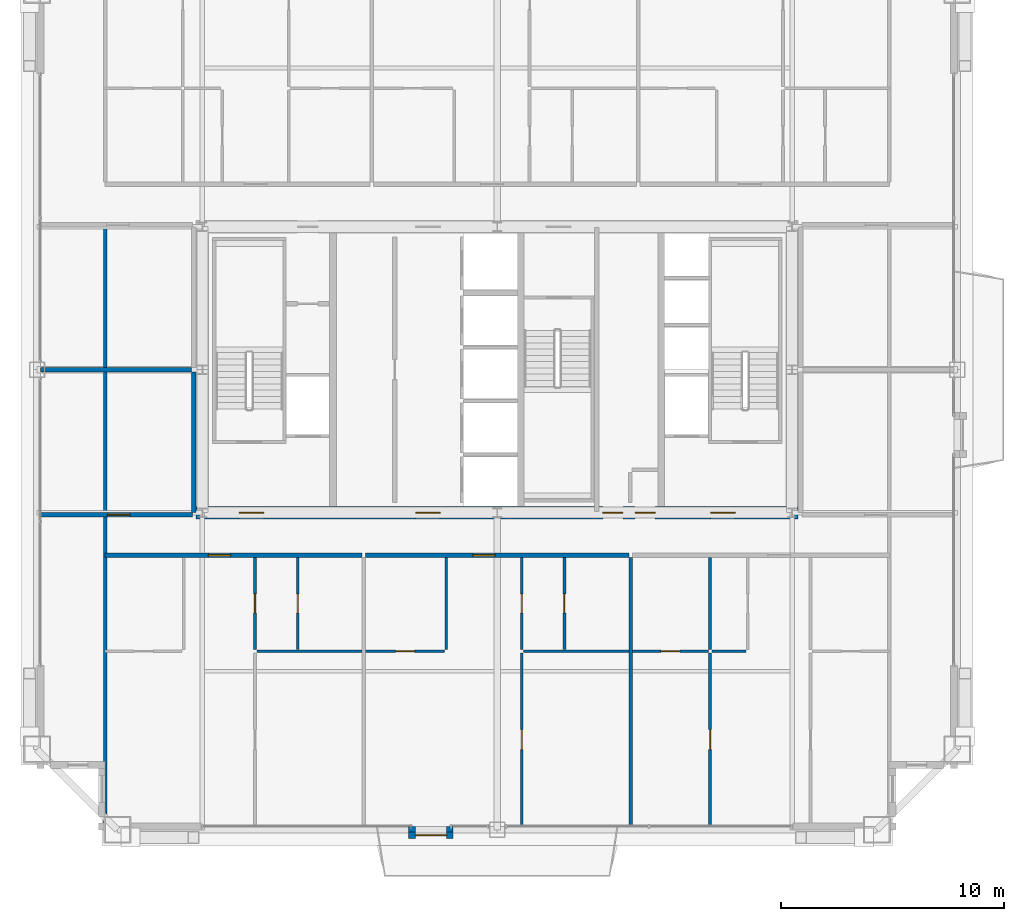
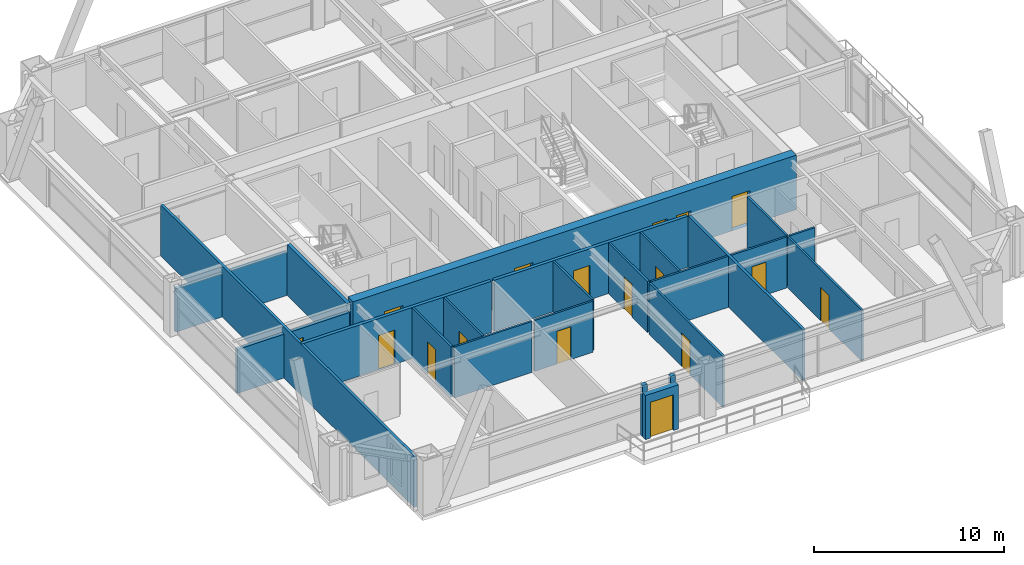
# One storey, part 30 of 35: 24 walls, 17 doors, 17 openings.
"""IFC4 building model written with IfcOpenShell, lengths in metres."""

from ifc_helpers import new_model, si_unit, direction, frame, frame_2d, origin, place, context, subcontext, project, spatial, rectangle, extrude, source, transform, mapped, material, layer, layer_set, type_object, element, fill, save


model = new_model("IFC4")

# Units and contexts
model_context = context("Model", 3, precision=1e-05, world=origin(), true_north=direction((0.0, 1.0)))
body_context = subcontext(model_context, "Body", "Model", "MODEL_VIEW")
ifc_project = project(units=[si_unit("LENGTHUNIT", "METRE"), si_unit("AREAUNIT", "SQUARE_METRE"), si_unit("VOLUMEUNIT", "CUBIC_METRE"), si_unit("PLANEANGLEUNIT", "RADIAN"), si_unit("MASSUNIT", "GRAM", prefix="KILO"), si_unit("THERMODYNAMICTEMPERATUREUNIT", "KELVIN"), si_unit("POWERUNIT", "WATT")], contexts=[model_context])

# Site, building, storey
site_placement = place(None, origin())
site = spatial("IfcSite", under=ifc_project, at=site_placement, CompositionType="ELEMENT")
building_placement = place(site_placement, origin())
building = spatial("IfcBuilding", under=site, at=building_placement, Name="Yuzanri Waterfront Tower", CompositionType="ELEMENT")
storey_placement = place(building_placement, frame((0.0, 0.0, 248.60009765625)))
storey = spatial("IfcBuildingStorey", under=building, at=storey_placement, Name="L66", CompositionType="ELEMENT", Elevation=248.60009765625)

# Wall, opening, door
ifc_material_1 = material(Name="Moisture-Resistant Gypsum Stud Wall", Category="gypsum")
ifc_layer_1 = layer(ifc_material_1, 0.1201171875)
ifc_layer_set_1 = layer_set([ifc_layer_1], Name="Moisture-Resistant Gypsum Stud Wall")
wall_type_1 = type_object("IfcWallType", Name="Bathroom and Kitchen Wet Partition 120", PredefinedType="PARTITIONING", material=ifc_layer_set_1)
wall_1_placement = place(storey_placement, frame((28.070068359375, 13.280029296875, 0.0), z_axis=(0.0, 0.0, 1.0), x_axis=(0.0, 1.0, 0.0)))
wall_1 = element("IfcWall", 1, at=wall_1_placement, inside=storey, type_object=wall_type_1, Name="L66 Partition UW-L66-RS1-SUB-2-W", PredefinedType="PARTITIONING", context=body_context, shape_type="SweptSolid", body=[
    extrude(rectangle(XDim=4.10986328125, YDim=0.1201171875, at=frame_2d((2.054931640625, 0.0))), origin(), (0.0, 0.0, 1.0), 3.27978515625),
])
opening_1_placement = place(wall_1_placement, frame((1.6298828125, 0.0, 0.0)))
opening_1 = element("IfcOpeningElement", 2, at=opening_1_placement, cuts=wall_1, Name="Opening ID-0850", PredefinedType="OPENING", context=body_context, shape_type="SweptSolid", body=[
    extrude(rectangle(XDim=0.85009765625, YDim=2.10009765625, at=frame_2d((0.425048828125, 1.050048828125))), frame((0.0, 0.074951171875, 0.0), z_axis=(0.0, -1.0, 0.0), x_axis=(1.0, 0.0, 0.0)), (0.0, 0.0, 1.0), 0.14990234375),
])
ifc_material_2 = material(Name="Moisture-Resistant Lacquered Timber", Category="wood")
door_type_1 = type_object("IfcDoorType", Name="En-Suite Bathroom and Kitchen Swing Door 850x2100", OperationType="NOTDEFINED", PredefinedType="DOOR", material=ifc_material_2)
shared_shape_1 = source(origin(), body_context, "Body", "SweptSolid", [
    extrude(rectangle(XDim=0.85009765625, YDim=2.10009765625, at=frame_2d((0.425048828125, 1.050048828125))), frame((0.0, 0.02490234375, 0.0), z_axis=(0.0, -1.0, 0.0), x_axis=(1.0, 0.0, 0.0)), (0.0, 0.0, 1.0), 0.050048828125),
])
door_1_placement = place(opening_1_placement, origin())
door_1 = element("IfcDoor", 3, at=door_1_placement, inside=storey, type_object=door_type_1, Name="L66 Suite Interior Room Door", OperationType="SINGLE_SWING_RIGHT", OverallHeight=2.10009765625, OverallWidth=0.85009765625, PredefinedType="DOOR", context=body_context, shape_type="MappedRepresentation", body=[
    mapped(shared_shape_1, transform((0.0, 0.0, 0.0), scale=1.0)),
])
fill(opening_1, door_1)

wall_2_placement = place(storey_placement, frame((26.157958984375, 13.280029296875, 0.0), z_axis=(0.0, 0.0, 1.0), x_axis=(0.0, 1.0, 0.0)))
wall_2 = element("IfcWall", 4, at=wall_2_placement, inside=storey, type_object=wall_type_1, Name="L66 Partition UW-L66-RS1-SUB-4-W", PredefinedType="PARTITIONING", context=body_context, shape_type="SweptSolid", body=[
    extrude(rectangle(XDim=4.10986328125, YDim=0.1201171875, at=frame_2d((2.054931640625, 0.0))), origin(), (0.0, 0.0, 1.0), 3.27978515625),
])
opening_2_placement = place(wall_2_placement, frame((1.6298828125, 0.0, 0.0)))
opening_2 = element("IfcOpeningElement", 5, at=opening_2_placement, cuts=wall_2, Name="Opening ID-0850", PredefinedType="OPENING", context=body_context, shape_type="SweptSolid", body=[
    extrude(rectangle(XDim=0.85009765625, YDim=2.10009765625, at=frame_2d((0.425048828125, 1.050048828125))), frame((0.0, 0.074951171875, 0.0), z_axis=(0.0, -1.0, 0.0), x_axis=(1.0, 0.0, 0.0)), (0.0, 0.0, 1.0), 0.14990234375),
])
door_2_placement = place(opening_2_placement, origin())
door_2 = element("IfcDoor", 6, at=door_2_placement, inside=storey, type_object=door_type_1, Name="L66 Suite Interior Room Door", OperationType="SINGLE_SWING_RIGHT", OverallHeight=2.10009765625, OverallWidth=0.85009765625, PredefinedType="DOOR", context=body_context, shape_type="MappedRepresentation", body=[
    mapped(shared_shape_1, transform((0.0, 0.0, 0.0), scale=1.0)),
])
fill(opening_2, door_2)

wall_3_placement = place(storey_placement, frame((31.110107421875, 13.199951171875, 0.0), z_axis=(0.0, 0.0, 1.0), x_axis=(1.0, 0.0, 0.0)))
wall_3 = element("IfcWall", 7, at=wall_3_placement, inside=storey, type_object=wall_type_1, Name="L66 Partition UW-L66-RS2-SUB-1-S", PredefinedType="PARTITIONING", context=body_context, shape_type="SweptSolid", body=[
    extrude(rectangle(XDim=3.533935546875, YDim=0.1201171875, at=frame_2d((1.76708984375, 0.0))), origin(), (0.0, 0.0, 1.0), 3.27978515625),
])
opening_3_placement = place(wall_3_placement, frame((1.342041015625, 0.0, 0.0)))
opening_3 = element("IfcOpeningElement", 8, at=opening_3_placement, cuts=wall_3, Name="Opening ID-0850", PredefinedType="OPENING", context=body_context, shape_type="SweptSolid", body=[
    extrude(rectangle(XDim=0.85009765625, YDim=2.10009765625, at=frame_2d((0.425048828125, 1.050048828125))), frame((0.0, 0.074951171875, 0.0), z_axis=(0.0, -1.0, 0.0), x_axis=(1.0, 0.0, 0.0)), (0.0, 0.0, 1.0), 0.14990234375),
])
door_3_placement = place(opening_3_placement, origin())
door_3 = element("IfcDoor", 9, at=door_3_placement, inside=storey, type_object=door_type_1, Name="L66 Suite Interior Room Door", OperationType="SINGLE_SWING_RIGHT", OverallHeight=2.10009765625, OverallWidth=0.85009765625, PredefinedType="DOOR", context=body_context, shape_type="MappedRepresentation", body=[
    mapped(shared_shape_1, transform((0.0, 0.0, 0.0), scale=1.0)),
])
fill(opening_3, door_3)

wall_4_placement = place(storey_placement, frame((40.010009765625, 13.280029296875, 0.0), z_axis=(0.0, 0.0, 1.0), x_axis=(0.0, 1.0, 0.0)))
wall_4 = element("IfcWall", 10, at=wall_4_placement, inside=storey, type_object=wall_type_1, Name="L66 Partition UW-L66-RS2-SUB-2-W", PredefinedType="PARTITIONING", context=body_context, shape_type="SweptSolid", body=[
    extrude(rectangle(XDim=4.10986328125, YDim=0.1201171875, at=frame_2d((2.054931640625, 0.0))), origin(), (0.0, 0.0, 1.0), 3.27978515625),
])
opening_4_placement = place(wall_4_placement, frame((1.6298828125, 0.0, 0.0)))
opening_4 = element("IfcOpeningElement", 11, at=opening_4_placement, cuts=wall_4, Name="Opening ID-0850", PredefinedType="OPENING", context=body_context, shape_type="SweptSolid", body=[
    extrude(rectangle(XDim=0.85009765625, YDim=2.10009765625, at=frame_2d((0.425048828125, 1.050048828125))), frame((0.0, 0.074951171875, 0.0), z_axis=(0.0, -1.0, 0.0), x_axis=(1.0, 0.0, 0.0)), (0.0, 0.0, 1.0), 0.14990234375),
])
door_4_placement = place(opening_4_placement, origin())
door_4 = element("IfcDoor", 12, at=door_4_placement, inside=storey, type_object=door_type_1, Name="L66 Suite Interior Room Door", OperationType="SINGLE_SWING_LEFT", OverallHeight=2.10009765625, OverallWidth=0.85009765625, PredefinedType="DOOR", context=body_context, shape_type="MappedRepresentation", body=[
    mapped(shared_shape_1, transform((0.0, 0.0, 0.0), scale=1.0)),
])
fill(opening_4, door_4)

wall_5_placement = place(storey_placement, frame((38.097900390625, 5.35009765625, 0.0), z_axis=(0.0, 0.0, 1.0), x_axis=(0.0, 1.0, 0.0)))
wall_5 = element("IfcWall", 13, at=wall_5_placement, inside=storey, type_object=wall_type_1, Name="L66 Partition UW-L66-RS2-SUB-3-W", PredefinedType="PARTITIONING", context=body_context, shape_type="SweptSolid", body=[
    extrude(rectangle(XDim=7.77001953125, YDim=0.1201171875, at=frame_2d((3.885009765625, 0.0))), origin(), (0.0, 0.0, 1.0), 3.27978515625),
])
opening_5_placement = place(wall_5_placement, frame((3.43505859375, 0.0, 0.0)))
opening_5 = element("IfcOpeningElement", 14, at=opening_5_placement, cuts=wall_5, Name="Opening ID-0900", PredefinedType="OPENING", context=body_context, shape_type="SweptSolid", body=[
    extrude(rectangle(XDim=0.89990234375, YDim=2.14990234375, at=frame_2d((0.449951171875, 1.074951171875))), frame((0.0, 0.074951171875, 0.0), z_axis=(0.0, -1.0, 0.0), x_axis=(1.0, 0.0, 0.0)), (0.0, 0.0, 1.0), 0.14990234375),
])
ifc_material_3 = material(Name="Stained Walnut Veneer Timber", Category="wood")
door_type_2 = type_object("IfcDoorType", Name="Bedroom and Study Interior Swing Door 900x2150", OperationType="NOTDEFINED", PredefinedType="DOOR", material=ifc_material_3)
shared_shape_2 = source(origin(), body_context, "Body", "SweptSolid", [
    extrude(rectangle(XDim=0.89990234375, YDim=2.14990234375, at=frame_2d((0.449951171875, 1.074951171875))), frame((0.0, 0.02490234375, 0.0), z_axis=(0.0, -1.0, 0.0), x_axis=(1.0, 0.0, 0.0)), (0.0, 0.0, 1.0), 0.050048828125),
])
door_5_placement = place(opening_5_placement, origin())
door_5 = element("IfcDoor", 15, at=door_5_placement, inside=storey, type_object=door_type_2, Name="L66 Suite Interior Room Door", OperationType="SINGLE_SWING_RIGHT", OverallHeight=2.14990234375, OverallWidth=0.89990234375, PredefinedType="DOOR", context=body_context, shape_type="MappedRepresentation", body=[
    mapped(shared_shape_2, transform((0.0, 0.0, 0.0), scale=1.0)),
])
fill(opening_5, door_5)

wall_6_placement = place(storey_placement, frame((38.097900390625, 13.280029296875, 0.0), z_axis=(0.0, 0.0, 1.0), x_axis=(0.0, 1.0, 0.0)))
wall_6 = element("IfcWall", 16, at=wall_6_placement, inside=storey, type_object=wall_type_1, Name="L66 Partition UW-L66-RS2-SUB-4-W", PredefinedType="PARTITIONING", context=body_context, shape_type="SweptSolid", body=[
    extrude(rectangle(XDim=4.10986328125, YDim=0.1201171875, at=frame_2d((2.054931640625, 0.0))), origin(), (0.0, 0.0, 1.0), 3.27978515625),
])
opening_6_placement = place(wall_6_placement, frame((1.6298828125, 0.0, 0.0)))
opening_6 = element("IfcOpeningElement", 17, at=opening_6_placement, cuts=wall_6, Name="Opening ID-0850", PredefinedType="OPENING", context=body_context, shape_type="SweptSolid", body=[
    extrude(rectangle(XDim=0.85009765625, YDim=2.10009765625, at=frame_2d((0.425048828125, 1.050048828125))), frame((0.0, 0.074951171875, 0.0), z_axis=(0.0, -1.0, 0.0), x_axis=(1.0, 0.0, 0.0)), (0.0, 0.0, 1.0), 0.14990234375),
])
door_6_placement = place(opening_6_placement, origin())
door_6 = element("IfcDoor", 18, at=door_6_placement, inside=storey, type_object=door_type_1, Name="L66 Suite Interior Room Door", OperationType="SINGLE_SWING_LEFT", OverallHeight=2.10009765625, OverallWidth=0.85009765625, PredefinedType="DOOR", context=body_context, shape_type="MappedRepresentation", body=[
    mapped(shared_shape_1, transform((0.0, 0.0, 0.0), scale=1.0)),
])
fill(opening_6, door_6)

wall_7_placement = place(storey_placement, frame((43.050048828125, 13.199951171875, 0.0), z_axis=(0.0, 0.0, 1.0), x_axis=(1.0, 0.0, 0.0)))
wall_7 = element("IfcWall", 19, at=wall_7_placement, inside=storey, type_object=wall_type_1, Name="L66 Partition UW-L66-RS3-SUB-1-S", PredefinedType="PARTITIONING", context=body_context, shape_type="SweptSolid", body=[
    extrude(rectangle(XDim=3.39990234375, YDim=0.1201171875, at=frame_2d((1.699951171875, 0.0))), origin(), (0.0, 0.0, 1.0), 3.27978515625),
])
opening_7_placement = place(wall_7_placement, frame((1.27490234375, 0.0, 0.0)))
opening_7 = element("IfcOpeningElement", 20, at=opening_7_placement, cuts=wall_7, Name="Opening ID-0850", PredefinedType="OPENING", context=body_context, shape_type="SweptSolid", body=[
    extrude(rectangle(XDim=0.85009765625, YDim=2.10009765625, at=frame_2d((0.425048828125, 1.050048828125))), frame((0.0, 0.074951171875, 0.0), z_axis=(0.0, -1.0, 0.0), x_axis=(1.0, 0.0, 0.0)), (0.0, 0.0, 1.0), 0.14990234375),
])
door_7_placement = place(opening_7_placement, origin())
door_7 = element("IfcDoor", 21, at=door_7_placement, inside=storey, type_object=door_type_1, Name="L66 Suite Interior Room Door", OperationType="SINGLE_SWING_LEFT", OverallHeight=2.10009765625, OverallWidth=0.85009765625, PredefinedType="DOOR", context=body_context, shape_type="MappedRepresentation", body=[
    mapped(shared_shape_1, transform((0.0, 0.0, 0.0), scale=1.0)),
])
fill(opening_7, door_7)

wall_8_placement = place(storey_placement, frame((46.530029296875, 5.35009765625, 0.0), z_axis=(0.0, 0.0, 1.0), x_axis=(0.0, 1.0, 0.0)))
wall_8 = element("IfcWall", 22, at=wall_8_placement, inside=storey, type_object=wall_type_1, Name="L66 Partition UW-L66-RS3-SUB-4-E", PredefinedType="PARTITIONING", context=body_context, shape_type="SweptSolid", body=[
    extrude(rectangle(XDim=7.77001953125, YDim=0.1201171875, at=frame_2d((3.885009765625, 0.0))), origin(), (0.0, 0.0, 1.0), 3.27978515625),
])
opening_8_placement = place(wall_8_placement, frame((3.43505859375, 0.0, 0.0)))
opening_8 = element("IfcOpeningElement", 23, at=opening_8_placement, cuts=wall_8, Name="Opening ID-0900", PredefinedType="OPENING", context=body_context, shape_type="SweptSolid", body=[
    extrude(rectangle(XDim=0.89990234375, YDim=2.14990234375, at=frame_2d((0.449951171875, 1.074951171875))), frame((0.0, 0.074951171875, 0.0), z_axis=(0.0, -1.0, 0.0), x_axis=(1.0, 0.0, 0.0)), (0.0, 0.0, 1.0), 0.14990234375),
])
door_8_placement = place(opening_8_placement, origin())
door_8 = element("IfcDoor", 24, at=door_8_placement, inside=storey, type_object=door_type_2, Name="L66 Suite Interior Room Door", OperationType="SINGLE_SWING_RIGHT", OverallHeight=2.14990234375, OverallWidth=0.89990234375, PredefinedType="DOOR", context=body_context, shape_type="MappedRepresentation", body=[
    mapped(shared_shape_2, transform((0.0, 0.0, 0.0), scale=1.0)),
])
fill(opening_8, door_8)

ifc_material_4 = material(Name="Honed Chongqing Dark Basalt Stone", Category="masonry")
ifc_layer_2 = layer(ifc_material_4, 0.300048828125)
ifc_layer_set_2 = layer_set([ifc_layer_2], Name="Honed Chongqing Dark Basalt Stone")
wall_type_2 = type_object("IfcWallType", Name="Bronze Rainscreen Insulated Spandrel Portal Wall 300", PredefinedType="SOLIDWALL", material=ifc_layer_set_2)
wall_9_placement = place(storey_placement, frame((33.031982421875, 4.949951171875, 0.0), z_axis=(0.0, 0.0, 1.0), x_axis=(1.0, 0.0, 0.0)))
wall_9 = element("IfcWall", 25, at=wall_9_placement, inside=storey, type_object=wall_type_2, Name="L66 S Terrace Door Portal Wall", PredefinedType="SOLIDWALL", context=body_context, shape_type="SweptSolid", body=[
    extrude(rectangle(XDim=2.0, YDim=0.300048828125, at=frame_2d((1.0, 0.0))), origin(), (0.0, 0.0, 1.0), 2.8349609375),
])
opening_9_placement = place(wall_9_placement, frame((0.300048828125, 0.0, 0.0)))
opening_9 = element("IfcOpeningElement", 26, at=opening_9_placement, cuts=wall_9, Name="Opening TD-1400", PredefinedType="OPENING", context=body_context, shape_type="SweptSolid", body=[
    extrude(rectangle(XDim=1.39990234375, YDim=2.300048828125, at=frame_2d((0.699951171875, 1.14990234375))), frame((0.0, 0.1650390625, 0.0), z_axis=(0.0, -1.0, 0.0), x_axis=(1.0, 0.0, 0.0)), (0.0, 0.0, 1.0), 0.329833984375),
])
ifc_material_5 = material(Name="Anodized Architectural Bronze", Category="metal")
door_type_3 = type_object("IfcDoorType", Name="Anodized Bronze Balcony and Terrace Glazed Double Door 1400x2300", OperationType="NOTDEFINED", PredefinedType="DOOR", material=ifc_material_5)
shared_shape_3 = source(origin(), body_context, "Body", "SweptSolid", [
    extrude(rectangle(XDim=1.39990234375, YDim=2.300048828125, at=frame_2d((0.699951171875, 1.14990234375))), frame((0.0, 0.02490234375, 0.0), z_axis=(0.0, -1.0, 0.0), x_axis=(1.0, 0.0, 0.0)), (0.0, 0.0, 1.0), 0.050048828125),
])
door_9_placement = place(opening_9_placement, origin())
door_9 = element("IfcDoor", 27, at=door_9_placement, inside=storey, type_object=door_type_3, Name="L66 S Terrace Glazed Double Door", OperationType="DOUBLE_DOOR_SINGLE_SWING", OverallHeight=2.300048828125, OverallWidth=1.39990234375, PredefinedType="DOOR", context=body_context, shape_type="MappedRepresentation", body=[
    mapped(shared_shape_3, transform((0.0, 0.0, 0.0), scale=1.0)),
])
fill(opening_9, door_9)

# Wall, openings, doors
ifc_material_6 = material(Name="Concrete C50", Category="concrete")
ifc_layer_3 = layer(ifc_material_6, 0.550048828125)
ifc_layer_set_3 = layer_set([ifc_layer_3], Name="Concrete C50")
wall_type_3 = type_object("IfcWallType", Name="Concrete C50 Upper-Mid Zone Core Shear Wall 550", PredefinedType="SHEAR", material=ifc_layer_set_3)
wall_10_placement = place(storey_placement, frame((23.52490234375, 19.39990234375, 0.0), z_axis=(0.0, 0.0, 1.0), x_axis=(1.0, 0.0, 0.0)))
wall_10 = element("IfcWall", 28, at=wall_10_placement, inside=storey, type_object=wall_type_3, Name="L66 Core South Shear Wall", PredefinedType="SHEAR", context=body_context, shape_type="SweptSolid", body=[
    extrude(rectangle(XDim=26.9501953125, YDim=0.550048828125, at=frame_2d((13.47509765625, 0.0))), origin(), (0.0, 0.0, 1.0), 3.5),
])
opening_10_placement = place(wall_10_placement, frame((1.925048828125, 0.0, 0.0)))
opening_10 = element("IfcOpeningElement", 29, at=opening_10_placement, cuts=wall_10, Name="Opening FD-1100", PredefinedType="OPENING", context=body_context, shape_type="SweptSolid", body=[
    extrude(rectangle(XDim=1.10009765625, YDim=2.199951171875, at=frame_2d((0.550048828125, 1.10009765625))), frame((0.0, 0.2900390625, 0.0), z_axis=(0.0, -1.0, 0.0), x_axis=(1.0, 0.0, 0.0)), (0.0, 0.0, 1.0), 0.579833984375),
])
opening_11_placement = place(wall_10_placement, frame((9.824951171875, 0.0, 0.0)))
opening_11 = element("IfcOpeningElement", 30, at=opening_11_placement, cuts=wall_10, Name="Opening FD-1100", PredefinedType="OPENING", context=body_context, shape_type="SweptSolid", body=[
    extrude(rectangle(XDim=1.10009765625, YDim=2.199951171875, at=frame_2d((0.550048828125, 1.10009765625))), frame((0.0, 0.2900390625, 0.0), z_axis=(0.0, -1.0, 0.0), x_axis=(1.0, 0.0, 0.0)), (0.0, 0.0, 1.0), 0.579833984375),
])
opening_12_placement = place(wall_10_placement, frame((23.02490234375, 0.0, 0.0)))
opening_12 = element("IfcOpeningElement", 31, at=opening_12_placement, cuts=wall_10, Name="Opening FD-1100", PredefinedType="OPENING", context=body_context, shape_type="SweptSolid", body=[
    extrude(rectangle(XDim=1.10009765625, YDim=2.199951171875, at=frame_2d((0.550048828125, 1.10009765625))), frame((0.0, 0.2900390625, 0.0), z_axis=(0.0, -1.0, 0.0), x_axis=(1.0, 0.0, 0.0)), (0.0, 0.0, 1.0), 0.579833984375),
])
opening_13_placement = place(wall_10_placement, frame((19.64501953125, 0.0, 0.0)))
opening_13 = element("IfcOpeningElement", 32, at=opening_13_placement, cuts=wall_10, Name="Opening FD-0900", PredefinedType="OPENING", context=body_context, shape_type="SweptSolid", body=[
    extrude(rectangle(XDim=0.89990234375, YDim=2.14990234375, at=frame_2d((0.449951171875, 1.074951171875))), frame((0.0, 0.2900390625, 0.0), z_axis=(0.0, -1.0, 0.0), x_axis=(1.0, 0.0, 0.0)), (0.0, 0.0, 1.0), 0.579833984375),
])
opening_14_placement = place(wall_10_placement, frame((18.205078125, 0.0, 0.0)))
opening_14 = element("IfcOpeningElement", 33, at=opening_14_placement, cuts=wall_10, Name="Opening FD-0900", PredefinedType="OPENING", context=body_context, shape_type="SweptSolid", body=[
    extrude(rectangle(XDim=0.89990234375, YDim=2.14990234375, at=frame_2d((0.449951171875, 1.074951171875))), frame((0.0, 0.2900390625, 0.0), z_axis=(0.0, -1.0, 0.0), x_axis=(1.0, 0.0, 0.0)), (0.0, 0.0, 1.0), 0.579833984375),
])
ifc_material_7 = material(Name="Painted Galvanized Fire Steel", Category="steel")
door_type_4 = type_object("IfcDoorType", Name="Smoke-Proof Stair and Lobby Fire Door 1100x2200", OperationType="NOTDEFINED", PredefinedType="DOOR", material=ifc_material_7)
shared_shape_4 = source(origin(), body_context, "Body", "SweptSolid", [
    extrude(rectangle(XDim=1.10009765625, YDim=2.199951171875, at=frame_2d((0.550048828125, 1.10009765625))), frame((0.0, 0.02490234375, 0.0), z_axis=(0.0, -1.0, 0.0), x_axis=(1.0, 0.0, 0.0)), (0.0, 0.0, 1.0), 0.050048828125),
])
door_10_placement = place(opening_10_placement, origin())
door_10 = element("IfcDoor", 34, at=door_10_placement, inside=storey, type_object=door_type_4, Name="L66 West Firefighting Lobby Door", OperationType="SINGLE_SWING_RIGHT", OverallHeight=2.199951171875, OverallWidth=1.10009765625, PredefinedType="DOOR", context=body_context, shape_type="MappedRepresentation", body=[
    mapped(shared_shape_4, transform((0.0, 0.0, 0.0), scale=1.0)),
])
fill(opening_10, door_10)
door_11_placement = place(opening_11_placement, origin())
door_11 = element("IfcDoor", 35, at=door_11_placement, inside=storey, type_object=door_type_4, Name="L66 Central Lift Lobby South Door", OperationType="SINGLE_SWING_LEFT", OverallHeight=2.199951171875, OverallWidth=1.10009765625, PredefinedType="DOOR", context=body_context, shape_type="MappedRepresentation", body=[
    mapped(shared_shape_4, transform((0.0, 0.0, 0.0), scale=1.0)),
])
fill(opening_11, door_11)
door_12_placement = place(opening_12_placement, origin())
door_12 = element("IfcDoor", 36, at=door_12_placement, inside=storey, type_object=door_type_4, Name="L66 East Firefighting Lobby Door", OperationType="SINGLE_SWING_RIGHT", OverallHeight=2.199951171875, OverallWidth=1.10009765625, PredefinedType="DOOR", context=body_context, shape_type="MappedRepresentation", body=[
    mapped(shared_shape_4, transform((0.0, 0.0, 0.0), scale=1.0)),
])
fill(opening_12, door_12)
ifc_material_8 = material(Name="Painted Galvanized Fire Steel", Category="steel")
door_type_5 = type_object("IfcDoorType", Name="Riser and Service Room Fire Door 900x2150", OperationType="NOTDEFINED", PredefinedType="DOOR", material=ifc_material_8)
shared_shape_5 = source(origin(), body_context, "Body", "SweptSolid", [
    extrude(rectangle(XDim=0.89990234375, YDim=2.14990234375, at=frame_2d((0.449951171875, 1.074951171875))), frame((0.0, 0.02490234375, 0.0), z_axis=(0.0, -1.0, 0.0), x_axis=(1.0, 0.0, 0.0)), (0.0, 0.0, 1.0), 0.050048828125),
])
door_13_placement = place(opening_13_placement, origin())
door_13 = element("IfcDoor", 37, at=door_13_placement, inside=storey, type_object=door_type_5, Name="L66 East Wet Riser Door", OperationType="SINGLE_SWING_RIGHT", OverallHeight=2.14990234375, OverallWidth=0.89990234375, PredefinedType="DOOR", context=body_context, shape_type="MappedRepresentation", body=[
    mapped(shared_shape_5, transform((0.0, 0.0, 0.0), scale=1.0)),
])
fill(opening_13, door_13)
door_14_placement = place(opening_14_placement, origin())
door_14 = element("IfcDoor", 38, at=door_14_placement, inside=storey, type_object=door_type_5, Name="L66 Cleaners Store Room", OperationType="SINGLE_SWING_LEFT", OverallHeight=2.14990234375, OverallWidth=0.89990234375, PredefinedType="DOOR", context=body_context, shape_type="MappedRepresentation", body=[
    mapped(shared_shape_5, transform((0.0, 0.0, 0.0), scale=1.0)),
])
fill(opening_14, door_14)

# Wall, opening, door
ifc_material_9 = material(Name="Autoclaved Aerated Concrete Blockwork", Category="masonry")
ifc_layer_4 = layer(ifc_material_9, 0.199951171875)
ifc_layer_set_4 = layer_set([ifc_layer_4], Name="Autoclaved Aerated Concrete Blockwork")
wall_type_4 = type_object("IfcWallType", Name="Corridor and Unit Party Fire Wall 200", PredefinedType="PARTITIONING", material=ifc_layer_set_4)
wall_11_placement = place(storey_placement, frame((19.43994140625, 17.489990234375, 0.0), z_axis=(0.0, 0.0, 1.0), x_axis=(1.0, 0.0, 0.0)))
wall_11 = element("IfcWall", 39, at=wall_11_placement, inside=storey, type_object=wall_type_4, Name="L66 Partition UW-L66-RS1-CN", PredefinedType="PARTITIONING", context=body_context, shape_type="SweptSolid", body=[
    extrude(rectangle(XDim=11.510009765625, YDim=0.199951171875, at=frame_2d((5.7548828125, 0.0))), origin(), (0.0, 0.0, 1.0), 3.27978515625),
])
opening_15_placement = place(wall_11_placement, frame((4.6259765625, 0.0, 0.0)))
opening_15 = element("IfcOpeningElement", 40, at=opening_15_placement, cuts=wall_11, Name="Opening FD-1000", PredefinedType="OPENING", context=body_context, shape_type="SweptSolid", body=[
    extrude(rectangle(XDim=1.0, YDim=2.199951171875, at=frame_2d((0.5, 1.10009765625))), frame((0.0, 0.11474609375, 0.0), z_axis=(0.0, -1.0, 0.0), x_axis=(1.0, 0.0, 0.0)), (0.0, 0.0, 1.0), 0.229736328125),
])
ifc_material_10 = material(Name="Engineered Oak Fire-Rated Timber", Category="wood")
door_type_6 = type_object("IfcDoorType", Name="Guestroom and Apartment Entrance Fire Door 1000x2200", OperationType="NOTDEFINED", PredefinedType="DOOR", material=ifc_material_10)
shared_shape_6 = source(origin(), body_context, "Body", "SweptSolid", [
    extrude(rectangle(XDim=1.0, YDim=2.199951171875, at=frame_2d((0.5, 1.10009765625))), frame((0.0, 0.02490234375, 0.0), z_axis=(0.0, -1.0, 0.0), x_axis=(1.0, 0.0, 0.0)), (0.0, 0.0, 1.0), 0.050048828125),
])
door_15_placement = place(opening_15_placement, origin())
door_15 = element("IfcDoor", 41, at=door_15_placement, inside=storey, type_object=door_type_6, Name="L66 Apartment Living Room Entrance Door", OperationType="SINGLE_SWING_RIGHT", OverallHeight=2.199951171875, OverallWidth=1.0, PredefinedType="DOOR", context=body_context, shape_type="MappedRepresentation", body=[
    mapped(shared_shape_6, transform((0.0, 0.0, 0.0), scale=1.0)),
])
fill(opening_15, door_15)

wall_12_placement = place(storey_placement, frame((31.110107421875, 17.489990234375, 0.0), z_axis=(0.0, 0.0, 1.0), x_axis=(1.0, 0.0, 0.0)))
wall_12 = element("IfcWall", 42, at=wall_12_placement, inside=storey, type_object=wall_type_4, Name="L66 Partition UW-L66-RS2-CN", PredefinedType="PARTITIONING", context=body_context, shape_type="SweptSolid", body=[
    extrude(rectangle(XDim=11.77978515625, YDim=0.199951171875, at=frame_2d((5.889892578125, 0.0))), origin(), (0.0, 0.0, 1.0), 3.27978515625),
])
opening_16_placement = place(wall_12_placement, frame((4.801025390625, 0.0, 0.0)))
opening_16 = element("IfcOpeningElement", 43, at=opening_16_placement, cuts=wall_12, Name="Opening FD-1000", PredefinedType="OPENING", context=body_context, shape_type="SweptSolid", body=[
    extrude(rectangle(XDim=1.0, YDim=2.199951171875, at=frame_2d((0.5, 1.10009765625))), frame((0.0, 0.11474609375, 0.0), z_axis=(0.0, -1.0, 0.0), x_axis=(1.0, 0.0, 0.0)), (0.0, 0.0, 1.0), 0.229736328125),
])
door_16_placement = place(opening_16_placement, origin())
door_16 = element("IfcDoor", 44, at=door_16_placement, inside=storey, type_object=door_type_6, Name="L66 Apartment Living Room Entrance Door", OperationType="SINGLE_SWING_LEFT", OverallHeight=2.199951171875, OverallWidth=1.0, PredefinedType="DOOR", context=body_context, shape_type="MappedRepresentation", body=[
    mapped(shared_shape_6, transform((0.0, 0.0, 0.0), scale=1.0)),
])
fill(opening_16, door_16)

wall_13_placement = place(storey_placement, frame((16.550048828125, 19.31005859375, 0.0), z_axis=(0.0, 0.0, 1.0), x_axis=(1.0, 0.0, 0.0)))
wall_13 = element("IfcWall", 45, at=wall_13_placement, inside=storey, type_object=wall_type_4, Name="L66 Partition UW-L66-047-CS", PredefinedType="PARTITIONING", context=body_context, shape_type="SweptSolid", body=[
    extrude(rectangle(XDim=6.800048828125, YDim=0.199951171875, at=frame_2d((3.39990234375, 0.0))), origin(), (0.0, 0.0, 1.0), 2.824951171875),
])
opening_17_placement = place(wall_13_placement, frame((3.0, 0.0, 0.0)))
opening_17 = element("IfcOpeningElement", 46, at=opening_17_placement, cuts=wall_13, Name="Opening FD-1000", PredefinedType="OPENING", context=body_context, shape_type="SweptSolid", body=[
    extrude(rectangle(XDim=1.0, YDim=2.199951171875, at=frame_2d((0.5, 1.10009765625))), frame((0.0, 0.11474609375, 0.0), z_axis=(0.0, -1.0, 0.0), x_axis=(1.0, 0.0, 0.0)), (0.0, 0.0, 1.0), 0.229736328125),
])
door_17_placement = place(opening_17_placement, origin())
door_17 = element("IfcDoor", 47, at=door_17_placement, inside=storey, type_object=door_type_6, Name="L66 Residents W Co-Working Office 1 Entrance Door", OperationType="SINGLE_SWING_RIGHT", OverallHeight=2.199951171875, OverallWidth=1.0, PredefinedType="DOOR", context=body_context, shape_type="MappedRepresentation", body=[
    mapped(shared_shape_6, transform((0.0, 0.0, 0.0), scale=1.0)),
])
fill(opening_17, door_17)

# Walls
shared_shape_7 = source(origin(), body_context, "Body", "SweptSolid", [
    extrude(rectangle(XDim=0.25, YDim=0.300048828125, at=frame_2d((0.125, 0.0))), origin(), (0.0, 0.0, 1.0), 3.27978515625),
])
for number, where, z_axis, x_axis, name in (
    (48, (33.181884765625, 5.35009765625, 0.0), (0.0, 0.0, 1.0), (0.0, -1.0, 0.0), "L66 S Terrace Portal Left Return"),
    (49, (34.882080078125, 5.10009765625, 0.0), (0.0, 0.0, 1.0), (0.0, 1.0, 0.0), "L66 S Terrace Portal Right Return"),
):
    element("IfcWall", number, at=place(storey_placement, frame(where, z_axis=z_axis, x_axis=x_axis)), inside=storey, type_object=wall_type_2, Name=name, PredefinedType="SOLIDWALL", context=body_context, shape_type="MappedRepresentation", body=[
        mapped(shared_shape_7, transform((0.0, 0.0, 0.0), scale=1.0)),
    ])
ifc_material_11 = material(Name="Gypsum Fireboard Acoustic Stud Wall", Category="gypsum")
ifc_layer_5 = layer(ifc_material_11, 0.159912109375)
ifc_layer_set_5 = layer_set([ifc_layer_5], Name="Gypsum Fireboard Acoustic Stud Wall")
wall_type_5 = type_object("IfcWallType", Name="Acoustic Suite Demising Partition 160", PredefinedType="PARTITIONING", material=ifc_layer_set_5)
shared_shape_8 = source(origin(), body_context, "Body", "SweptSolid", [
    extrude(rectangle(XDim=12.039794921875, YDim=0.159912109375, at=frame_2d((6.02001953125, 0.0))), origin(), (0.0, 0.0, 1.0), 3.27978515625),
])
wall_14_placement = place(storey_placement, frame((42.969970703125, 5.35009765625, 0.0), z_axis=(0.0, 0.0, 1.0), x_axis=(0.0, 1.0, 0.0)))
element("IfcWall", 50, at=wall_14_placement, inside=storey, type_object=wall_type_5, Name="L66-RS2 Party Wall", PredefinedType="PARTITIONING", context=body_context, shape_type="MappedRepresentation", body=[
    mapped(shared_shape_8, transform((0.0, 0.0, 0.0), scale=1.0)),
])
shared_shape_9 = source(origin(), body_context, "Body", "SweptSolid", [
    extrude(rectangle(XDim=4.10986328125, YDim=0.1201171875, at=frame_2d((2.054931640625, 0.0))), origin(), (0.0, 0.0, 1.0), 3.27978515625),
])
for number, where, z_axis, x_axis, name in (
    (51, (34.72412109375, 13.280029296875, 0.0), (0.0, 0.0, 1.0), (0.0, 1.0, 0.0), "L66 Partition UW-L66-RS2-SUB-1-E"),
    (52, (46.530029296875, 13.280029296875, 0.0), (0.0, 0.0, 1.0), (0.0, 1.0, 0.0), "L66 Partition UW-L66-RS3-SUB-1-E"),
):
    element("IfcWall", number, at=place(storey_placement, frame(where, z_axis=z_axis, x_axis=x_axis)), inside=storey, type_object=wall_type_1, Name=name, PredefinedType="PARTITIONING", context=body_context, shape_type="MappedRepresentation", body=[
        mapped(shared_shape_9, transform((0.0, 0.0, 0.0), scale=1.0)),
    ])
shared_shape_10 = source(origin(), body_context, "Body", "SweptSolid", [
    extrude(rectangle(XDim=6.764892578125, YDim=0.199951171875, at=frame_2d((3.38232421875, 0.0))), origin(), (0.0, 0.0, 1.0), 2.786865234375),
])
wall_15_placement = place(storey_placement, frame((16.550048828125, 25.800048828125, 0.0), z_axis=(0.0, 0.0, 1.0), x_axis=(1.0, 0.0, 0.0)))
element("IfcWall", 53, at=wall_15_placement, inside=storey, type_object=wall_type_4, Name="L66-047 Wing North Wall", PredefinedType="PARTITIONING", context=body_context, shape_type="MappedRepresentation", body=[
    mapped(shared_shape_10, transform((0.0, 0.0, 0.0), scale=1.0)),
])
shared_shape_11 = source(origin(), body_context, "Body", "SweptSolid", [
    extrude(rectangle(XDim=6.2900390625, YDim=0.199951171875, at=frame_2d((3.14501953125, 0.0))), origin(), (0.0, 0.0, 1.0), 3.27978515625),
])
wall_16_placement = place(storey_placement, frame((23.419921875, 19.409912109375, 0.0), z_axis=(0.0, 0.0, 1.0), x_axis=(0.0, 1.0, 0.0)))
element("IfcWall", 54, at=wall_16_placement, inside=storey, type_object=wall_type_4, Name="L66-047 Wing Inner Core-Side Wall", PredefinedType="PARTITIONING", context=body_context, shape_type="MappedRepresentation", body=[
    mapped(shared_shape_11, transform((0.0, 0.0, 0.0), scale=1.0)),
])
shared_shape_12 = source(origin(), body_context, "Body", "SweptSolid", [
    extrude(rectangle(XDim=26.68994140625, YDim=0.159912109375, at=frame_2d((13.344970703125, 0.0))), origin(), (0.0, 0.0, 1.0), 3.27978515625),
])
wall_17_placement = place(storey_placement, frame((19.449951171875, 5.5, 0.0), z_axis=(0.0, 0.0, 1.0), x_axis=(0.0, 1.0, 0.0)))
element("IfcWall", 55, at=wall_17_placement, inside=storey, type_object=wall_type_5, Name="L66 South Band West End Wall", PredefinedType="PARTITIONING", context=body_context, shape_type="MappedRepresentation", body=[
    mapped(shared_shape_12, transform((0.0, 0.0, 0.0), scale=1.0)),
])
shared_shape_13 = source(origin(), body_context, "Body", "SweptSolid", [
    extrude(rectangle(XDim=4.7119140625, YDim=0.1201171875, at=frame_2d((2.35595703125, 0.0))), origin(), (0.0, 0.0, 1.0), 3.27978515625),
])
for number, where, z_axis, x_axis, name in (
    (56, (26.238037109375, 13.199951171875, 0.0), (0.0, 0.0, 1.0), (1.0, 0.0, 0.0), "L66 Partition UW-L66-RS1-SUB-3-N"),
    (57, (38.177978515625, 13.199951171875, 0.0), (0.0, 0.0, 1.0), (1.0, 0.0, 0.0), "L66 Partition UW-L66-RS2-SUB-3-N"),
):
    element("IfcWall", number, at=place(storey_placement, frame(where, z_axis=z_axis, x_axis=x_axis)), inside=storey, type_object=wall_type_1, Name=name, PredefinedType="PARTITIONING", context=body_context, shape_type="MappedRepresentation", body=[
        mapped(shared_shape_13, transform((0.0, 0.0, 0.0), scale=1.0)),
    ])
shared_shape_14 = source(origin(), body_context, "Body", "SweptSolid", [
    extrude(rectangle(XDim=1.52880859375, YDim=0.1201171875, at=frame_2d((0.764404296875, 0.0))), origin(), (0.0, 0.0, 1.0), 3.27978515625),
])
wall_18_placement = place(storey_placement, frame((46.610107421875, 13.199951171875, 0.0), z_axis=(0.0, 0.0, 1.0), x_axis=(1.0, 0.0, 0.0)))
element("IfcWall", 58, at=wall_18_placement, inside=storey, type_object=wall_type_1, Name="L66 Partition UW-L66-RS3-SUB-2-S", PredefinedType="PARTITIONING", context=body_context, shape_type="MappedRepresentation", body=[
    mapped(shared_shape_14, transform((0.0, 0.0, 0.0), scale=1.0)),
])

save(model, "model.ifc")
